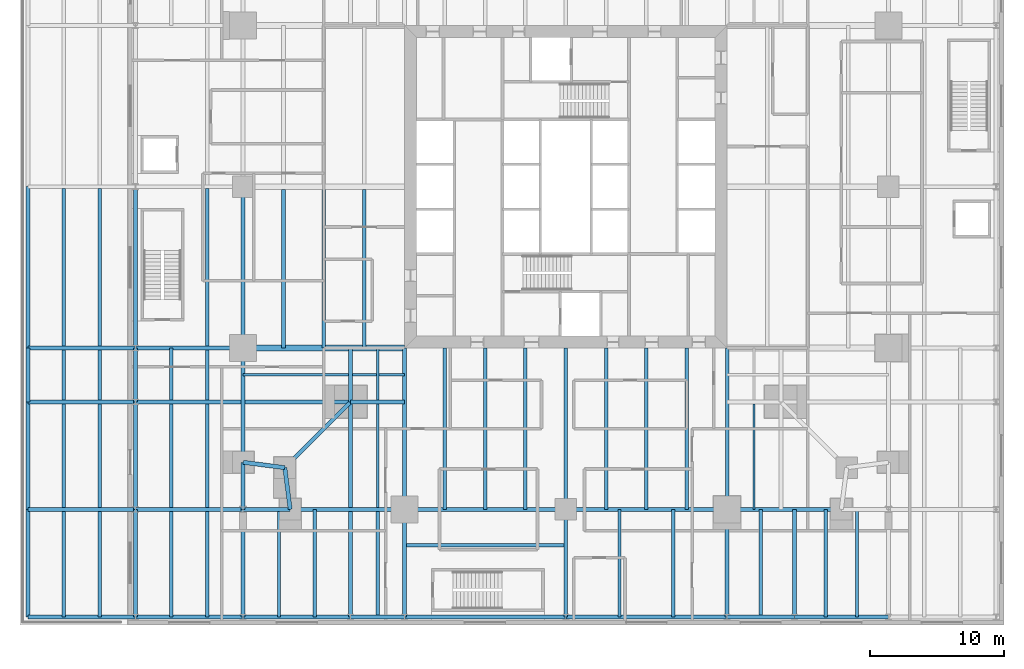
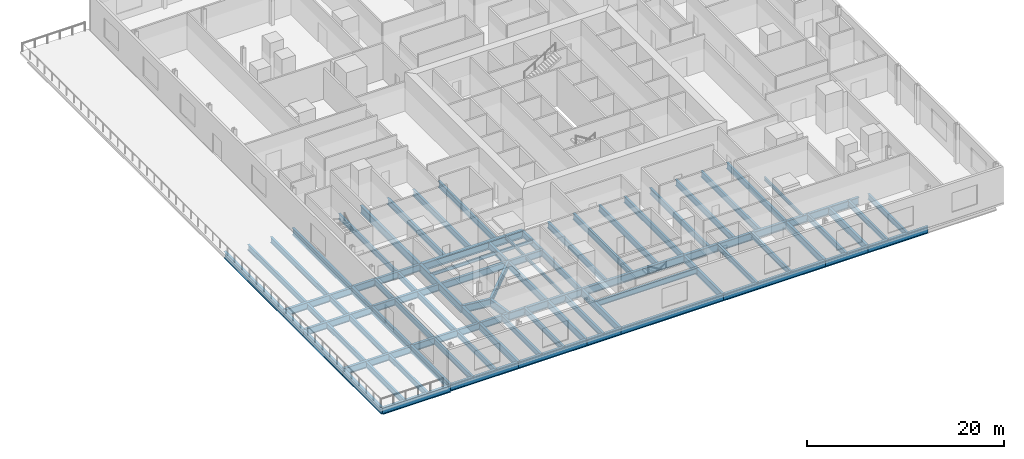
# One storey, part 4 of 17: 86 beams.
"""IFC4 building model written with IfcOpenShell, lengths in metres."""

from ifc_helpers import new_model, si_unit, direction, frame, origin, origin_2d, place, context, subcontext, project, spatial, i_section, extrude, material, material_profile, profile_set, type_object, element, save


model = new_model("IFC4")

# Units and contexts
model_context = context("Model", 3, precision=1e-05, world=origin(), true_north=direction((0.0, 1.0)))
body_context = subcontext(model_context, "Body", "Model", "MODEL_VIEW")
ifc_project = project(units=[si_unit("LENGTHUNIT", "METRE"), si_unit("AREAUNIT", "SQUARE_METRE"), si_unit("VOLUMEUNIT", "CUBIC_METRE"), si_unit("PLANEANGLEUNIT", "RADIAN"), si_unit("MASSUNIT", "GRAM", prefix="KILO")], contexts=[model_context])

# Site, building, storey
site_placement = place(None, origin())
site = spatial("IfcSite", under=ifc_project, at=site_placement, CompositionType="ELEMENT")
building_placement = place(site_placement, origin())
building = spatial("IfcBuilding", under=site, at=building_placement, Name="Fenwick Lantern Interchange", CompositionType="ELEMENT")
storey_placement = place(building_placement, frame((0.0, 0.0, 21.39990234375)))
storey = spatial("IfcBuildingStorey", under=building, at=storey_placement, Name="L04", CompositionType="ELEMENT", Elevation=21.39990234375)

# Beams
ifc_material = material(Name="Steel ASTM A992 Grade 50", Category="steel")
ifc_material_profile_1 = material_profile(ifc_material, i_section(OverallWidth=0.309814453125, OverallDepth=0.949951171875, WebThickness=0.0244140625, FlangeThickness=0.0439453125, at=origin_2d()), Name="W36X256")
ifc_profile_set_1 = profile_set([ifc_material_profile_1], Name="Steel ASTM A992 Grade 50")
beam_type_1 = type_object("IfcBeamType", Name="EDGE BEAM W36X256", PredefinedType="SPANDREL", material=ifc_profile_set_1)
beam_1_placement = place(storey_placement, frame((4.5, 1.0, -0.6748046875), z_axis=(1.0, 0.0, 0.0), x_axis=(0.0, 1.0, 0.0)))
element("IfcBeam", 1, at=beam_1_placement, inside=storey, type_object=beam_type_1, Name="L04/FR/S/EB1", PredefinedType="SPANDREL", context=body_context, shape_type="SweptSolid", body=[
    extrude(i_section(OverallWidth=0.309814453125, OverallDepth=0.949951171875, WebThickness=0.0244140625, FlangeThickness=0.0439453125, at=origin_2d()), origin(), (0.0, 0.0, 1.0), 8.5),
])
for number, where, z_axis, x_axis, name in (
    (2, (13.0, 1.0, -0.6748046875), (1.0, 0.0, 0.0), (0.0, 1.0, 0.0), "L04/FR/S/EB2"),
    (3, (25.0, 1.0, -0.6748046875), (1.0, 0.0, 0.0), (0.0, 1.0, 0.0), "L04/FR/S/EB3"),
):
    element("IfcBeam", number, at=place(storey_placement, frame(where, z_axis=z_axis, x_axis=x_axis)), inside=storey, type_object=beam_type_1, Name=name, PredefinedType="SPANDREL", context=body_context, shape_type="SweptSolid", body=[
        extrude(i_section(OverallWidth=0.309814453125, OverallDepth=0.949951171875, WebThickness=0.0244140625, FlangeThickness=0.0439453125, at=origin_2d()), origin(), (0.0, 0.0, 1.0), 12.0),
    ])
beam_2_placement = place(storey_placement, frame((37.0, 1.0, -0.6748046875), z_axis=(1.0, 0.0, 0.0), x_axis=(0.0, 1.0, 0.0)))
element("IfcBeam", 4, at=beam_2_placement, inside=storey, type_object=beam_type_1, Name="L04/FR/S/EB4", PredefinedType="SPANDREL", context=body_context, shape_type="SweptSolid", body=[
    extrude(i_section(OverallWidth=0.309814453125, OverallDepth=0.949951171875, WebThickness=0.0244140625, FlangeThickness=0.0439453125, at=origin_2d()), origin(), (0.0, 0.0, 1.0), 8.5),
])
beam_3_placement = place(storey_placement, frame((1.0, 25.0, -0.6748046875), z_axis=(0.0, -1.0, 0.0), x_axis=(1.0, 0.0, 0.0)))
element("IfcBeam", 5, at=beam_3_placement, inside=storey, type_object=beam_type_1, Name="L04/FR/W/EB3", PredefinedType="SPANDREL", context=body_context, shape_type="SweptSolid", body=[
    extrude(i_section(OverallWidth=0.309814453125, OverallDepth=0.949951171875, WebThickness=0.0244140625, FlangeThickness=0.0439453125, at=origin_2d()), origin(), (0.0, 0.0, 1.0), 12.0),
])
beam_4_placement = place(storey_placement, frame((1.0, 13.0, -0.6748046875), z_axis=(0.0, -1.0, 0.0), x_axis=(1.0, 0.0, 0.0)))
element("IfcBeam", 6, at=beam_4_placement, inside=storey, type_object=beam_type_1, Name="L04/FR/W/EB4", PredefinedType="SPANDREL", context=body_context, shape_type="SweptSolid", body=[
    extrude(i_section(OverallWidth=0.309814453125, OverallDepth=0.949951171875, WebThickness=0.0244140625, FlangeThickness=0.0439453125, at=origin_2d()), origin(), (0.0, 0.0, 1.0), 8.5),
])
for number, where, z_axis, x_axis, name in (
    (7, (1.0, 4.5, -0.6748046875), (0.991782342897, -0.127936641807, 0.0), (0.127936641807, 0.991782342897, 0.0), "L04/FR/W/EBR1"),
    (8, (4.10009765625, 4.10009765625, -0.6748046875), (0.127936641807, -0.991782342897, 0.0), (0.991782342897, 0.127936641807, 0.0), "L04/FR/W/EBR2"),
):
    element("IfcBeam", number, at=place(storey_placement, frame(where, z_axis=z_axis, x_axis=x_axis)), inside=storey, type_object=beam_type_1, Name=name, PredefinedType="SPANDREL", context=body_context, shape_type="SweptSolid", body=[
        extrude(i_section(OverallWidth=0.309814453125, OverallDepth=0.949951171875, WebThickness=0.0244140625, FlangeThickness=0.0439453125, at=origin_2d()), origin(), (0.0, 0.0, 1.0), 3.125732421875),
    ])
ifc_material_profile_2 = material_profile(ifc_material, i_section(OverallWidth=0.2666015625, OverallDepth=0.7568359375, WebThickness=0.013916015625, FlangeThickness=0.019287109375, at=origin_2d()), Name="W30X108")
ifc_profile_set_2 = profile_set([ifc_material_profile_2], Name="Steel ASTM A992 Grade 50")
beam_type_2 = type_object("IfcBeamType", Name="FLOOR BEAM W30X108", PredefinedType="BEAM", material=ifc_profile_set_2)
for number, where, z_axis, x_axis, name in (
    (9, (16.0, 1.0, -0.578369140625), (0.0, 1.0, 0.0), (-1.0, 0.0, 0.0), "L04/FR/S/R02"),
    (10, (19.0, 1.0, -0.578369140625), (0.0, 1.0, 0.0), (-1.0, 0.0, 0.0), "L04/FR/S/R03"),
    (11, (22.0, 1.0, -0.578369140625), (0.0, 1.0, 0.0), (-1.0, 0.0, 0.0), "L04/FR/S/R04"),
    (12, (28.0, 1.0, -0.578369140625), (0.0, 1.0, 0.0), (-1.0, 0.0, 0.0), "L04/FR/S/R06"),
    (13, (31.0, 1.0, -0.578369140625), (0.0, 1.0, 0.0), (-1.0, 0.0, 0.0), "L04/FR/S/R07"),
    (14, (34.0, 1.0, -0.578369140625), (0.0, 1.0, 0.0), (-1.0, 0.0, 0.0), "L04/FR/S/R08"),
):
    element("IfcBeam", number, at=place(storey_placement, frame(where, z_axis=z_axis, x_axis=x_axis)), inside=storey, type_object=beam_type_2, Name=name, PredefinedType="BEAM", context=body_context, shape_type="SweptSolid", body=[
        extrude(i_section(OverallWidth=0.2666015625, OverallDepth=0.7568359375, WebThickness=0.013916015625, FlangeThickness=0.019287109375, at=origin_2d()), origin(), (0.0, 0.0, 1.0), 12.0),
    ])
for number, where, z_axis, x_axis, name in (
    (15, (4.0, 24.79541015625, -0.578369140625), (0.0, -1.0, 0.0), (1.0, 0.0, 0.0), "L04/FR/W/B04"),
    (16, (7.0, 24.79541015625, -0.578369140625), (0.0, -1.0, 0.0), (1.0, 0.0, 0.0), "L04/FR/W/B05"),
    (17, (10.0, 24.79541015625, -0.578369140625), (0.0, -1.0, 0.0), (1.0, 0.0, 0.0), "L04/FR/W/B06"),
):
    element("IfcBeam", number, at=place(storey_placement, frame(where, z_axis=z_axis, x_axis=x_axis)), inside=storey, type_object=beam_type_2, Name=name, PredefinedType="BEAM", context=body_context, shape_type="SweptSolid", body=[
        extrude(i_section(OverallWidth=0.2666015625, OverallDepth=0.7568359375, WebThickness=0.013916015625, FlangeThickness=0.019287109375, at=origin_2d()), origin(), (0.0, 0.0, 1.0), 11.79541015625),
    ])
ifc_material_profile_3 = material_profile(ifc_material, i_section(OverallWidth=0.177734375, OverallDepth=0.406494140625, WebThickness=0.0078125, FlangeThickness=0.012939453125, at=origin_2d()), Name="W16X40")
ifc_profile_set_3 = profile_set([ifc_material_profile_3], Name="Steel ASTM A992 Grade 50")
beam_type_3 = type_object("IfcBeamType", Name="INFILL BEAM W16X40", PredefinedType="JOIST", material=ifc_profile_set_3)
beam_5_placement = place(storey_placement, frame((11.0, 1.155029296875, -0.403076171875), z_axis=(0.0, 1.0, 0.0), x_axis=(-1.0, 0.0, 0.0)))
element("IfcBeam", 18, at=beam_5_placement, inside=storey, type_object=beam_type_3, Name="L04/FR/S/J1", PredefinedType="JOIST", context=body_context, shape_type="SweptSolid", body=[
    extrude(i_section(OverallWidth=0.177734375, OverallDepth=0.406494140625, WebThickness=0.0078125, FlangeThickness=0.012939453125, at=origin_2d()), origin(), (0.0, 0.0, 1.0), 7.698974609375),
])
beam_6_placement = place(storey_placement, frame((11.0, 9.14599609375, -0.403076171875), z_axis=(0.0, 1.0, 0.0), x_axis=(-1.0, 0.0, 0.0)))
element("IfcBeam", 19, at=beam_6_placement, inside=storey, type_object=beam_type_3, Name="L04/FR/S/J2", PredefinedType="JOIST", context=body_context, shape_type="SweptSolid", body=[
    extrude(i_section(OverallWidth=0.177734375, OverallDepth=0.406494140625, WebThickness=0.0078125, FlangeThickness=0.012939453125, at=origin_2d()), origin(), (0.0, 0.0, 1.0), 3.85400390625),
])
beam_7_placement = place(storey_placement, frame((1.0, 11.0, -0.403076171875), z_axis=(1.0, 0.0, 0.0), x_axis=(0.0, 1.0, 0.0)))
element("IfcBeam", 20, at=beam_7_placement, inside=storey, type_object=beam_type_3, Name="L04/FR/S/J3", PredefinedType="JOIST", context=body_context, shape_type="SweptSolid", body=[
    extrude(i_section(OverallWidth=0.177734375, OverallDepth=0.406494140625, WebThickness=0.0078125, FlangeThickness=0.012939453125, at=origin_2d()), origin(), (0.0, 0.0, 1.0), 7.85400390625),
])
beam_8_placement = place(storey_placement, frame((9.14599609375, 11.0, -0.403076171875), z_axis=(1.0, 0.0, 0.0), x_axis=(0.0, 1.0, 0.0)))
element("IfcBeam", 21, at=beam_8_placement, inside=storey, type_object=beam_type_3, Name="L04/FR/S/J4", PredefinedType="JOIST", context=body_context, shape_type="SweptSolid", body=[
    extrude(i_section(OverallWidth=0.177734375, OverallDepth=0.406494140625, WebThickness=0.0078125, FlangeThickness=0.012939453125, at=origin_2d()), origin(), (0.0, 0.0, 1.0), 1.76513671875),
])
beam_9_placement = place(storey_placement, frame((11.0888671875, 11.0, -0.403076171875), z_axis=(1.0, 0.0, 0.0), x_axis=(0.0, 1.0, 0.0)))
element("IfcBeam", 22, at=beam_9_placement, inside=storey, type_object=beam_type_3, Name="L04/FR/S/J5", PredefinedType="JOIST", context=body_context, shape_type="SweptSolid", body=[
    extrude(i_section(OverallWidth=0.177734375, OverallDepth=0.406494140625, WebThickness=0.0078125, FlangeThickness=0.012939453125, at=origin_2d()), origin(), (0.0, 0.0, 1.0), 1.9111328125),
])
beam_10_placement = place(storey_placement, frame((39.0, 1.0, -0.403076171875), z_axis=(0.0, 1.0, 0.0), x_axis=(-1.0, 0.0, 0.0)))
element("IfcBeam", 23, at=beam_10_placement, inside=storey, type_object=beam_type_3, Name="L04/FR/E/J3", PredefinedType="JOIST", context=body_context, shape_type="SweptSolid", body=[
    extrude(i_section(OverallWidth=0.177734375, OverallDepth=0.406494140625, WebThickness=0.0078125, FlangeThickness=0.012939453125, at=origin_2d()), origin(), (0.0, 0.0, 1.0), 7.85400390625),
])
ifc_material_profile_4 = material_profile(ifc_material, i_section(OverallWidth=0.2919921875, OverallDepth=0.845703125, WebThickness=0.015380859375, FlangeThickness=0.0244140625, at=origin_2d()), Name="W33X141")
ifc_profile_set_4 = profile_set([ifc_material_profile_4], Name="Steel ASTM A992 Grade 50")
beam_type_4 = type_object("IfcBeamType", Name="MEGA COLUMN BEAM W33X141", PredefinedType="BEAM", material=ifc_profile_set_4)
for number, where, z_axis, x_axis, name in (
    (24, (9.0, 9.0, -0.622802734375), (0.0, -1.0, 0.0), (1.0, 0.0, 0.0), "L04/FR/S/MB1"),
    (25, (9.0, 9.0, -0.622802734375), (-1.0, 0.0, 0.0), (0.0, -1.0, 0.0), "L04/FR/S/MB2"),
):
    element("IfcBeam", number, at=place(storey_placement, frame(where, z_axis=z_axis, x_axis=x_axis)), inside=storey, type_object=beam_type_4, Name=name, PredefinedType="BEAM", context=body_context, shape_type="SweptSolid", body=[
        extrude(i_section(OverallWidth=0.2919921875, OverallDepth=0.845703125, WebThickness=0.015380859375, FlangeThickness=0.0244140625, at=origin_2d()), origin(), (0.0, 0.0, 1.0), 7.844970703125),
    ])
for number, where, z_axis, x_axis, name in (
    (26, (9.0, 9.0, -0.622802734375), (1.0, 0.0, 0.0), (0.0, 1.0, 0.0), "L04/FR/S/MB3"),
    (27, (9.0, 9.0, -0.622802734375), (0.0, 1.0, 0.0), (-1.0, 0.0, 0.0), "L04/FR/S/MB4"),
):
    element("IfcBeam", number, at=place(storey_placement, frame(where, z_axis=z_axis, x_axis=x_axis)), inside=storey, type_object=beam_type_4, Name=name, PredefinedType="BEAM", context=body_context, shape_type="SweptSolid", body=[
        extrude(i_section(OverallWidth=0.2919921875, OverallDepth=0.845703125, WebThickness=0.015380859375, FlangeThickness=0.0244140625, at=origin_2d()), origin(), (0.0, 0.0, 1.0), 4.0),
    ])
ifc_material_profile_5 = material_profile(ifc_material, i_section(OverallWidth=0.2666015625, OverallDepth=0.76953125, WebThickness=0.015625, FlangeThickness=0.025390625, at=origin_2d()), Name="W30X132")
ifc_profile_set_5 = profile_set([ifc_material_profile_5], Name="Steel ASTM A992 Grade 50")
beam_type_5 = type_object("IfcBeamType", Name="MOMENT-CONNECTED GIRDER W30X132", PredefinedType="BEAM", material=ifc_profile_set_5)
for number, where, z_axis, x_axis, name in (
    (28, (13.0, 1.0, -0.584716796875), (0.0, 1.0, 0.0), (-1.0, 0.0, 0.0), "L04/FR/S/R01"),
    (29, (25.0, 1.0, -0.584716796875), (0.0, 1.0, 0.0), (-1.0, 0.0, 0.0), "L04/FR/S/R05"),
    (30, (37.0, 1.0, -0.584716796875), (0.0, 1.0, 0.0), (-1.0, 0.0, 0.0), "L04/FR/S/R09"),
):
    element("IfcBeam", number, at=place(storey_placement, frame(where, z_axis=z_axis, x_axis=x_axis)), inside=storey, type_object=beam_type_5, Name=name, PredefinedType="BEAM", context=body_context, shape_type="SweptSolid", body=[
        extrude(i_section(OverallWidth=0.2666015625, OverallDepth=0.76953125, WebThickness=0.015625, FlangeThickness=0.025390625, at=origin_2d()), origin(), (0.0, 0.0, 1.0), 12.0),
    ])
ifc_material_profile_6 = material_profile(ifc_material, i_section(OverallWidth=0.424072265625, OverallDepth=0.947509765625, WebThickness=0.02392578125, FlangeThickness=0.042724609375, at=origin_2d()), Name="W36X302")
ifc_profile_set_6 = profile_set([ifc_material_profile_6], Name="Steel ASTM A992 Grade 50")
beam_type_6 = type_object("IfcBeamType", Name="MOMENT-CONNECTED GIRDER W36X302", PredefinedType="BEAM", material=ifc_profile_set_6)
beam_11_placement = place(storey_placement, frame((1.0, 13.0, -0.673583984375), z_axis=(1.0, 0.0, 0.0), x_axis=(0.0, 1.0, 0.0)))
element("IfcBeam", 31, at=beam_11_placement, inside=storey, type_object=beam_type_6, Name="L04/FR/W/R03", PredefinedType="BEAM", context=body_context, shape_type="SweptSolid", body=[
    extrude(i_section(OverallWidth=0.424072265625, OverallDepth=0.947509765625, WebThickness=0.02392578125, FlangeThickness=0.042724609375, at=origin_2d()), origin(), (0.0, 0.0, 1.0), 12.0),
])
ifc_material_profile_7 = material_profile(ifc_material, i_section(OverallWidth=0.2919921875, OverallDepth=0.845703125, WebThickness=0.015380859375, FlangeThickness=0.0244140625, at=origin_2d()), Name="W33X141")
ifc_profile_set_7 = profile_set([ifc_material_profile_7], Name="Steel ASTM A992 Grade 50")
beam_type_7 = type_object("IfcBeamType", Name="MOMENT-CONNECTED PODIUM GIRDER W33X141", PredefinedType="BEAM", material=ifc_profile_set_7)
for number, where, z_axis, x_axis, name in (
    (32, (-15.0, -7.0, -0.722900390625), (1.0, 0.0, 0.0), (0.0, 1.0, 0.0), "L04/PF/G001"),
    (33, (-7.0, -7.0, -0.622802734375), (1.0, 0.0, 0.0), (0.0, 1.0, 0.0), "L04/PF/G002"),
    (34, (1.0, -7.0, -0.622802734375), (1.0, 0.0, 0.0), (0.0, 1.0, 0.0), "L04/PF/G003"),
):
    element("IfcBeam", number, at=place(storey_placement, frame(where, z_axis=z_axis, x_axis=x_axis)), inside=storey, type_object=beam_type_7, Name=name, PredefinedType="BEAM", context=body_context, shape_type="SweptSolid", body=[
        extrude(i_section(OverallWidth=0.2919921875, OverallDepth=0.845703125, WebThickness=0.015380859375, FlangeThickness=0.0244140625, at=origin_2d()), origin(), (0.0, 0.0, 1.0), 8.0),
    ])
beam_12_placement = place(storey_placement, frame((9.0, -7.0, -0.622802734375), z_axis=(1.0, 0.0, 0.0), x_axis=(0.0, 1.0, 0.0)))
element("IfcBeam", 35, at=beam_12_placement, inside=storey, type_object=beam_type_7, Name="L04/PF/G004", PredefinedType="BEAM", context=body_context, shape_type="SweptSolid", body=[
    extrude(i_section(OverallWidth=0.2919921875, OverallDepth=0.845703125, WebThickness=0.015380859375, FlangeThickness=0.0244140625, at=origin_2d()), origin(), (0.0, 0.0, 1.0), 4.0),
])
for number, where, z_axis, x_axis, name in (
    (36, (13.0, -7.0, -0.622802734375), (1.0, 0.0, 0.0), (0.0, 1.0, 0.0), "L04/PF/G005"),
    (37, (25.0, -7.0, -0.622802734375), (1.0, 0.0, 0.0), (0.0, 1.0, 0.0), "L04/PF/G006"),
):
    element("IfcBeam", number, at=place(storey_placement, frame(where, z_axis=z_axis, x_axis=x_axis)), inside=storey, type_object=beam_type_7, Name=name, PredefinedType="BEAM", context=body_context, shape_type="SweptSolid", body=[
        extrude(i_section(OverallWidth=0.2919921875, OverallDepth=0.845703125, WebThickness=0.015380859375, FlangeThickness=0.0244140625, at=origin_2d()), origin(), (0.0, 0.0, 1.0), 12.0),
    ])
beam_13_placement = place(storey_placement, frame((37.0, -7.0, -0.622802734375), z_axis=(1.0, 0.0, 0.0), x_axis=(0.0, 1.0, 0.0)))
element("IfcBeam", 38, at=beam_13_placement, inside=storey, type_object=beam_type_7, Name="L04/PF/G007", PredefinedType="BEAM", context=body_context, shape_type="SweptSolid", body=[
    extrude(i_section(OverallWidth=0.2919921875, OverallDepth=0.845703125, WebThickness=0.015380859375, FlangeThickness=0.0244140625, at=origin_2d()), origin(), (0.0, 0.0, 1.0), 5.0),
])
beam_14_placement = place(storey_placement, frame((42.0, -7.0, -0.622802734375), z_axis=(1.0, 0.0, 0.0), x_axis=(0.0, 1.0, 0.0)))
element("IfcBeam", 39, at=beam_14_placement, inside=storey, type_object=beam_type_7, Name="L04/PF/G008", PredefinedType="BEAM", context=body_context, shape_type="SweptSolid", body=[
    extrude(i_section(OverallWidth=0.2919921875, OverallDepth=0.845703125, WebThickness=0.015380859375, FlangeThickness=0.0244140625, at=origin_2d()), origin(), (0.0, 0.0, 1.0), 7.0),
])
for number, where, z_axis, x_axis, name in (
    (40, (-15.0, 1.0, -0.722900390625), (1.0, 0.0, 0.0), (0.0, 1.0, 0.0), "L04/PF/G010"),
    (41, (-7.0, 1.0, -0.622802734375), (1.0, 0.0, 0.0), (0.0, 1.0, 0.0), "L04/PF/G011"),
):
    element("IfcBeam", number, at=place(storey_placement, frame(where, z_axis=z_axis, x_axis=x_axis)), inside=storey, type_object=beam_type_7, Name=name, PredefinedType="BEAM", context=body_context, shape_type="SweptSolid", body=[
        extrude(i_section(OverallWidth=0.2919921875, OverallDepth=0.845703125, WebThickness=0.015380859375, FlangeThickness=0.0244140625, at=origin_2d()), origin(), (0.0, 0.0, 1.0), 8.0),
    ])
beam_15_placement = place(storey_placement, frame((1.0, 1.0, -0.622802734375), z_axis=(1.0, 0.0, 0.0), x_axis=(0.0, 1.0, 0.0)))
element("IfcBeam", 42, at=beam_15_placement, inside=storey, type_object=beam_type_7, Name="L04/PF/G012", PredefinedType="BEAM", context=body_context, shape_type="SweptSolid", body=[
    extrude(i_section(OverallWidth=0.2919921875, OverallDepth=0.845703125, WebThickness=0.015380859375, FlangeThickness=0.0244140625, at=origin_2d()), origin(), (0.0, 0.0, 1.0), 3.5),
])
beam_16_placement = place(storey_placement, frame((-15.0, 9.0, -0.722900390625), z_axis=(1.0, 0.0, 0.0), x_axis=(0.0, 1.0, 0.0)))
element("IfcBeam", 43, at=beam_16_placement, inside=storey, type_object=beam_type_7, Name="L04/PF/G015", PredefinedType="BEAM", context=body_context, shape_type="SweptSolid", body=[
    extrude(i_section(OverallWidth=0.2919921875, OverallDepth=0.845703125, WebThickness=0.015380859375, FlangeThickness=0.0244140625, at=origin_2d()), origin(), (0.0, 0.0, 1.0), 8.0),
])
beam_17_placement = place(storey_placement, frame((-7.0, 9.0, -0.622802734375), z_axis=(1.0, 0.0, 0.0), x_axis=(0.0, 1.0, 0.0)))
element("IfcBeam", 44, at=beam_17_placement, inside=storey, type_object=beam_type_7, Name="L04/PF/G016", PredefinedType="BEAM", context=body_context, shape_type="SweptSolid", body=[
    extrude(i_section(OverallWidth=0.2919921875, OverallDepth=0.845703125, WebThickness=0.015380859375, FlangeThickness=0.0244140625, at=origin_2d()), origin(), (0.0, 0.0, 1.0), 7.844970703125),
])
for number, where, z_axis, x_axis, name in (
    (45, (-15.0, 13.0, -0.722900390625), (1.0, 0.0, 0.0), (0.0, 1.0, 0.0), "L04/PF/G018"),
    (46, (-7.0, 13.0, -0.622802734375), (1.0, 0.0, 0.0), (0.0, 1.0, 0.0), "L04/PF/G019"),
    (47, (-15.0, -7.0, -0.722900390625), (0.0, 1.0, 0.0), (-1.0, 0.0, 0.0), "L04/PF/G053"),
    (48, (-15.0, 1.0, -0.722900390625), (0.0, 1.0, 0.0), (-1.0, 0.0, 0.0), "L04/PF/G054"),
):
    element("IfcBeam", number, at=place(storey_placement, frame(where, z_axis=z_axis, x_axis=x_axis)), inside=storey, type_object=beam_type_7, Name=name, PredefinedType="BEAM", context=body_context, shape_type="SweptSolid", body=[
        extrude(i_section(OverallWidth=0.2919921875, OverallDepth=0.845703125, WebThickness=0.015380859375, FlangeThickness=0.0244140625, at=origin_2d()), origin(), (0.0, 0.0, 1.0), 8.0),
    ])
beam_18_placement = place(storey_placement, frame((-15.0, 9.0, -0.722900390625), z_axis=(0.0, 1.0, 0.0), x_axis=(-1.0, 0.0, 0.0)))
element("IfcBeam", 49, at=beam_18_placement, inside=storey, type_object=beam_type_7, Name="L04/PF/G055", PredefinedType="BEAM", context=body_context, shape_type="SweptSolid", body=[
    extrude(i_section(OverallWidth=0.2919921875, OverallDepth=0.845703125, WebThickness=0.015380859375, FlangeThickness=0.0244140625, at=origin_2d()), origin(), (0.0, 0.0, 1.0), 4.0),
])
beam_19_placement = place(storey_placement, frame((-15.0, 13.0, -0.722900390625), z_axis=(0.0, 1.0, 0.0), x_axis=(-1.0, 0.0, 0.0)))
element("IfcBeam", 50, at=beam_19_placement, inside=storey, type_object=beam_type_7, Name="L04/PF/G056", PredefinedType="BEAM", context=body_context, shape_type="SweptSolid", body=[
    extrude(i_section(OverallWidth=0.2919921875, OverallDepth=0.845703125, WebThickness=0.015380859375, FlangeThickness=0.0244140625, at=origin_2d()), origin(), (0.0, 0.0, 1.0), 12.0),
])
for number, where, z_axis, x_axis, name in (
    (51, (-7.0, -7.0, -0.622802734375), (0.0, 1.0, 0.0), (-1.0, 0.0, 0.0), "L04/PF/G062"),
    (52, (-7.0, 1.0, -0.622802734375), (0.0, 1.0, 0.0), (-1.0, 0.0, 0.0), "L04/PF/G063"),
):
    element("IfcBeam", number, at=place(storey_placement, frame(where, z_axis=z_axis, x_axis=x_axis)), inside=storey, type_object=beam_type_7, Name=name, PredefinedType="BEAM", context=body_context, shape_type="SweptSolid", body=[
        extrude(i_section(OverallWidth=0.2919921875, OverallDepth=0.845703125, WebThickness=0.015380859375, FlangeThickness=0.0244140625, at=origin_2d()), origin(), (0.0, 0.0, 1.0), 8.0),
    ])
beam_20_placement = place(storey_placement, frame((-7.0, 9.0, -0.622802734375), z_axis=(0.0, 1.0, 0.0), x_axis=(-1.0, 0.0, 0.0)))
element("IfcBeam", 53, at=beam_20_placement, inside=storey, type_object=beam_type_7, Name="L04/PF/G064", PredefinedType="BEAM", context=body_context, shape_type="SweptSolid", body=[
    extrude(i_section(OverallWidth=0.2919921875, OverallDepth=0.845703125, WebThickness=0.015380859375, FlangeThickness=0.0244140625, at=origin_2d()), origin(), (0.0, 0.0, 1.0), 4.0),
])
beam_21_placement = place(storey_placement, frame((-7.0, 13.0, -0.622802734375), z_axis=(0.0, 1.0, 0.0), x_axis=(-1.0, 0.0, 0.0)))
element("IfcBeam", 54, at=beam_21_placement, inside=storey, type_object=beam_type_7, Name="L04/PF/G065", PredefinedType="BEAM", context=body_context, shape_type="SweptSolid", body=[
    extrude(i_section(OverallWidth=0.2919921875, OverallDepth=0.845703125, WebThickness=0.015380859375, FlangeThickness=0.0244140625, at=origin_2d()), origin(), (0.0, 0.0, 1.0), 12.0),
])
beam_22_placement = place(storey_placement, frame((1.0, -7.0, -0.622802734375), z_axis=(0.0, 1.0, 0.0), x_axis=(-1.0, 0.0, 0.0)))
element("IfcBeam", 55, at=beam_22_placement, inside=storey, type_object=beam_type_7, Name="L04/PF/G071", PredefinedType="BEAM", context=body_context, shape_type="SweptSolid", body=[
    extrude(i_section(OverallWidth=0.2919921875, OverallDepth=0.845703125, WebThickness=0.015380859375, FlangeThickness=0.0244140625, at=origin_2d()), origin(), (0.0, 0.0, 1.0), 8.0),
])
beam_23_placement = place(storey_placement, frame((1.0, 1.0, -0.622802734375), z_axis=(0.0, 1.0, 0.0), x_axis=(-1.0, 0.0, 0.0)))
element("IfcBeam", 56, at=beam_23_placement, inside=storey, type_object=beam_type_7, Name="L04/PF/G072", PredefinedType="BEAM", context=body_context, shape_type="SweptSolid", body=[
    extrude(i_section(OverallWidth=0.2919921875, OverallDepth=0.845703125, WebThickness=0.015380859375, FlangeThickness=0.0244140625, at=origin_2d()), origin(), (0.0, 0.0, 1.0), 3.5),
])
beam_24_placement = place(storey_placement, frame((9.0, -7.0, -0.622802734375), z_axis=(0.0, 1.0, 0.0), x_axis=(-1.0, 0.0, 0.0)))
element("IfcBeam", 57, at=beam_24_placement, inside=storey, type_object=beam_type_7, Name="L04/PF/G076", PredefinedType="BEAM", context=body_context, shape_type="SweptSolid", body=[
    extrude(i_section(OverallWidth=0.2919921875, OverallDepth=0.845703125, WebThickness=0.015380859375, FlangeThickness=0.0244140625, at=origin_2d()), origin(), (0.0, 0.0, 1.0), 7.844970703125),
])
for number, where, z_axis, x_axis, name in (
    (58, (13.0, -7.0, -0.622802734375), (0.0, 1.0, 0.0), (-1.0, 0.0, 0.0), "L04/PF/G079"),
    (59, (25.0, -7.0, -0.622802734375), (0.0, 1.0, 0.0), (-1.0, 0.0, 0.0), "L04/PF/G082"),
    (60, (37.0, -7.0, -0.622802734375), (0.0, 1.0, 0.0), (-1.0, 0.0, 0.0), "L04/PF/G085"),
    (61, (42.0, -7.0, -0.622802734375), (0.0, 1.0, 0.0), (-1.0, 0.0, 0.0), "L04/PF/G088"),
):
    element("IfcBeam", number, at=place(storey_placement, frame(where, z_axis=z_axis, x_axis=x_axis)), inside=storey, type_object=beam_type_7, Name=name, PredefinedType="BEAM", context=body_context, shape_type="SweptSolid", body=[
        extrude(i_section(OverallWidth=0.2919921875, OverallDepth=0.845703125, WebThickness=0.015380859375, FlangeThickness=0.0244140625, at=origin_2d()), origin(), (0.0, 0.0, 1.0), 8.0),
    ])
ifc_material_profile_8 = material_profile(ifc_material, i_section(OverallWidth=0.2666015625, OverallDepth=0.7568359375, WebThickness=0.013916015625, FlangeThickness=0.019287109375, at=origin_2d()), Name="W30X108")
ifc_profile_set_8 = profile_set([ifc_material_profile_8], Name="Steel ASTM A992 Grade 50")
beam_type_8 = type_object("IfcBeamType", Name="NOTCH BEAM W30X108", PredefinedType="BEAM", material=ifc_profile_set_8)
beam_25_placement = place(storey_placement, frame((9.0, 9.0, -0.578369140625), z_axis=(-0.707106781187, -0.707106781187, 0.0), x_axis=(0.707106781187, -0.707106781187, 0.0)))
element("IfcBeam", 62, at=beam_25_placement, inside=storey, type_object=beam_type_8, Name="L04/FR/S/TG", PredefinedType="BEAM", context=body_context, shape_type="SweptSolid", body=[
    extrude(i_section(OverallWidth=0.2666015625, OverallDepth=0.7568359375, WebThickness=0.013916015625, FlangeThickness=0.019287109375, at=origin_2d()), origin(), (0.0, 0.0, 1.0), 6.929443359375),
])
ifc_material_profile_9 = material_profile(ifc_material, i_section(OverallWidth=0.25390625, OverallDepth=0.683349609375, WebThickness=0.012451171875, FlangeThickness=0.01904296875, at=origin_2d()), Name="W27X94")
ifc_profile_set_9 = profile_set([ifc_material_profile_9], Name="Steel ASTM A992 Grade 50")
beam_type_9 = type_object("IfcBeamType", Name="PODIUM BEAM W27X94", PredefinedType="JOIST", material=ifc_profile_set_9)
for number, where, z_axis, x_axis, name in (
    (63, (-12.333251953125, -7.0, -0.6416015625), (0.0, 1.0, 0.0), (-1.0, 0.0, 0.0), "L04/PF/J105"),
    (64, (-9.666748046875, -7.0, -0.6416015625), (0.0, 1.0, 0.0), (-1.0, 0.0, 0.0), "L04/PF/J106"),
):
    element("IfcBeam", number, at=place(storey_placement, frame(where, z_axis=z_axis, x_axis=x_axis)), inside=storey, type_object=beam_type_9, Name=name, PredefinedType="JOIST", context=body_context, shape_type="SweptSolid", body=[
        extrude(i_section(OverallWidth=0.25390625, OverallDepth=0.683349609375, WebThickness=0.012451171875, FlangeThickness=0.01904296875, at=origin_2d()), origin(), (0.0, 0.0, 1.0), 7.85400390625),
    ])
for number, where, z_axis, x_axis, name in (
    (65, (-12.333251953125, 1.14599609375, -0.6416015625), (0.0, 1.0, 0.0), (-1.0, 0.0, 0.0), "L04/PF/J107"),
    (66, (-9.666748046875, 1.14599609375, -0.6416015625), (0.0, 1.0, 0.0), (-1.0, 0.0, 0.0), "L04/PF/J108"),
):
    element("IfcBeam", number, at=place(storey_placement, frame(where, z_axis=z_axis, x_axis=x_axis)), inside=storey, type_object=beam_type_9, Name=name, PredefinedType="JOIST", context=body_context, shape_type="SweptSolid", body=[
        extrude(i_section(OverallWidth=0.25390625, OverallDepth=0.683349609375, WebThickness=0.012451171875, FlangeThickness=0.01904296875, at=origin_2d()), origin(), (0.0, 0.0, 1.0), 7.7080078125),
    ])
for number, where, z_axis, x_axis, name in (
    (67, (-12.333251953125, 9.14599609375, -0.6416015625), (0.0, 1.0, 0.0), (-1.0, 0.0, 0.0), "L04/PF/J109"),
    (68, (-9.666748046875, 9.14599609375, -0.6416015625), (0.0, 1.0, 0.0), (-1.0, 0.0, 0.0), "L04/PF/J110"),
):
    element("IfcBeam", number, at=place(storey_placement, frame(where, z_axis=z_axis, x_axis=x_axis)), inside=storey, type_object=beam_type_9, Name=name, PredefinedType="JOIST", context=body_context, shape_type="SweptSolid", body=[
        extrude(i_section(OverallWidth=0.25390625, OverallDepth=0.683349609375, WebThickness=0.012451171875, FlangeThickness=0.01904296875, at=origin_2d()), origin(), (0.0, 0.0, 1.0), 3.7080078125),
    ])
for number, where, z_axis, x_axis, name in (
    (69, (-12.333251953125, 13.14599609375, -0.6416015625), (0.0, 1.0, 0.0), (-1.0, 0.0, 0.0), "L04/PF/J111"),
    (70, (-9.666748046875, 13.14599609375, -0.6416015625), (0.0, 1.0, 0.0), (-1.0, 0.0, 0.0), "L04/PF/J112"),
):
    element("IfcBeam", number, at=place(storey_placement, frame(where, z_axis=z_axis, x_axis=x_axis)), inside=storey, type_object=beam_type_9, Name=name, PredefinedType="JOIST", context=body_context, shape_type="SweptSolid", body=[
        extrude(i_section(OverallWidth=0.25390625, OverallDepth=0.683349609375, WebThickness=0.012451171875, FlangeThickness=0.01904296875, at=origin_2d()), origin(), (0.0, 0.0, 1.0), 11.7080078125),
    ])
for number, where, z_axis, x_axis, name in (
    (71, (-4.333251953125, -7.0, -0.54150390625), (0.0, 1.0, 0.0), (-1.0, 0.0, 0.0), "L04/PF/J123"),
    (72, (-1.666748046875, -7.0, -0.54150390625), (0.0, 1.0, 0.0), (-1.0, 0.0, 0.0), "L04/PF/J124"),
):
    element("IfcBeam", number, at=place(storey_placement, frame(where, z_axis=z_axis, x_axis=x_axis)), inside=storey, type_object=beam_type_9, Name=name, PredefinedType="JOIST", context=body_context, shape_type="SweptSolid", body=[
        extrude(i_section(OverallWidth=0.25390625, OverallDepth=0.683349609375, WebThickness=0.012451171875, FlangeThickness=0.01904296875, at=origin_2d()), origin(), (0.0, 0.0, 1.0), 7.85400390625),
    ])
for number, where, z_axis, x_axis, name in (
    (73, (-4.333251953125, 1.14599609375, -0.54150390625), (0.0, 1.0, 0.0), (-1.0, 0.0, 0.0), "L04/PF/J125"),
    (74, (-1.666748046875, 1.14599609375, -0.54150390625), (0.0, 1.0, 0.0), (-1.0, 0.0, 0.0), "L04/PF/J126"),
):
    element("IfcBeam", number, at=place(storey_placement, frame(where, z_axis=z_axis, x_axis=x_axis)), inside=storey, type_object=beam_type_9, Name=name, PredefinedType="JOIST", context=body_context, shape_type="SweptSolid", body=[
        extrude(i_section(OverallWidth=0.25390625, OverallDepth=0.683349609375, WebThickness=0.012451171875, FlangeThickness=0.01904296875, at=origin_2d()), origin(), (0.0, 0.0, 1.0), 7.7080078125),
    ])
beam_26_placement = place(storey_placement, frame((-4.333251953125, 9.14599609375, -0.54150390625), z_axis=(0.0, 1.0, 0.0), x_axis=(-1.0, 0.0, 0.0)))
element("IfcBeam", 75, at=beam_26_placement, inside=storey, type_object=beam_type_9, Name="L04/PF/J127", PredefinedType="JOIST", context=body_context, shape_type="SweptSolid", body=[
    extrude(i_section(OverallWidth=0.25390625, OverallDepth=0.683349609375, WebThickness=0.012451171875, FlangeThickness=0.01904296875, at=origin_2d()), origin(), (0.0, 0.0, 1.0), 3.85400390625),
])
beam_27_placement = place(storey_placement, frame((-1.666748046875, 9.14599609375, -0.54150390625), z_axis=(0.0, 1.0, 0.0), x_axis=(-1.0, 0.0, 0.0)))
element("IfcBeam", 76, at=beam_27_placement, inside=storey, type_object=beam_type_9, Name="L04/PF/J128", PredefinedType="JOIST", context=body_context, shape_type="SweptSolid", body=[
    extrude(i_section(OverallWidth=0.25390625, OverallDepth=0.683349609375, WebThickness=0.012451171875, FlangeThickness=0.01904296875, at=origin_2d()), origin(), (0.0, 0.0, 1.0), 3.7080078125),
])
beam_28_placement = place(storey_placement, frame((-1.666748046875, 13.14599609375, -0.54150390625), z_axis=(0.0, 1.0, 0.0), x_axis=(-1.0, 0.0, 0.0)))
element("IfcBeam", 77, at=beam_28_placement, inside=storey, type_object=beam_type_9, Name="L04/PF/J129", PredefinedType="JOIST", context=body_context, shape_type="SweptSolid", body=[
    extrude(i_section(OverallWidth=0.25390625, OverallDepth=0.683349609375, WebThickness=0.012451171875, FlangeThickness=0.01904296875, at=origin_2d()), origin(), (0.0, 0.0, 1.0), 11.7080078125),
])
for number, where, z_axis, x_axis, name in (
    (78, (3.666748046875, -7.0, -0.54150390625), (0.0, 1.0, 0.0), (-1.0, 0.0, 0.0), "L04/PF/J139"),
    (79, (6.333251953125, -7.0, -0.54150390625), (0.0, 1.0, 0.0), (-1.0, 0.0, 0.0), "L04/PF/J140"),
):
    element("IfcBeam", number, at=place(storey_placement, frame(where, z_axis=z_axis, x_axis=x_axis)), inside=storey, type_object=beam_type_9, Name=name, PredefinedType="JOIST", context=body_context, shape_type="SweptSolid", body=[
        extrude(i_section(OverallWidth=0.25390625, OverallDepth=0.683349609375, WebThickness=0.012451171875, FlangeThickness=0.01904296875, at=origin_2d()), origin(), (0.0, 0.0, 1.0), 8.0),
    ])
beam_29_placement = place(storey_placement, frame((11.0, -7.0, -0.54150390625), z_axis=(0.0, 1.0, 0.0), x_axis=(-1.0, 0.0, 0.0)))
element("IfcBeam", 80, at=beam_29_placement, inside=storey, type_object=beam_type_9, Name="L04/PF/J145", PredefinedType="JOIST", context=body_context, shape_type="SweptSolid", body=[
    extrude(i_section(OverallWidth=0.25390625, OverallDepth=0.683349609375, WebThickness=0.012451171875, FlangeThickness=0.01904296875, at=origin_2d()), origin(), (0.0, 0.0, 1.0), 7.844970703125),
])
beam_30_placement = place(storey_placement, frame((13.0, -1.666748046875, -0.54150390625), z_axis=(1.0, 0.0, 0.0), x_axis=(0.0, 1.0, 0.0)))
element("IfcBeam", 81, at=beam_30_placement, inside=storey, type_object=beam_type_9, Name="L04/PF/J148", PredefinedType="JOIST", context=body_context, shape_type="SweptSolid", body=[
    extrude(i_section(OverallWidth=0.25390625, OverallDepth=0.683349609375, WebThickness=0.012451171875, FlangeThickness=0.01904296875, at=origin_2d()), origin(), (0.0, 0.0, 1.0), 12.0),
])
for number, where, z_axis, x_axis, name in (
    (82, (29.0, -7.0, -0.54150390625), (0.0, 1.0, 0.0), (-1.0, 0.0, 0.0), "L04/PF/J152"),
    (83, (33.0, -7.0, -0.54150390625), (0.0, 1.0, 0.0), (-1.0, 0.0, 0.0), "L04/PF/J153"),
    (84, (39.5, -7.0, -0.54150390625), (0.0, 1.0, 0.0), (-1.0, 0.0, 0.0), "L04/PF/J158"),
    (85, (44.333251953125, -7.0, -0.54150390625), (0.0, 1.0, 0.0), (-1.0, 0.0, 0.0), "L04/PF/J161"),
    (86, (46.666748046875, -7.0, -0.54150390625), (0.0, 1.0, 0.0), (-1.0, 0.0, 0.0), "L04/PF/J162"),
):
    element("IfcBeam", number, at=place(storey_placement, frame(where, z_axis=z_axis, x_axis=x_axis)), inside=storey, type_object=beam_type_9, Name=name, PredefinedType="JOIST", context=body_context, shape_type="SweptSolid", body=[
        extrude(i_section(OverallWidth=0.25390625, OverallDepth=0.683349609375, WebThickness=0.012451171875, FlangeThickness=0.01904296875, at=origin_2d()), origin(), (0.0, 0.0, 1.0), 8.0),
    ])

save(model, "model.ifc")
